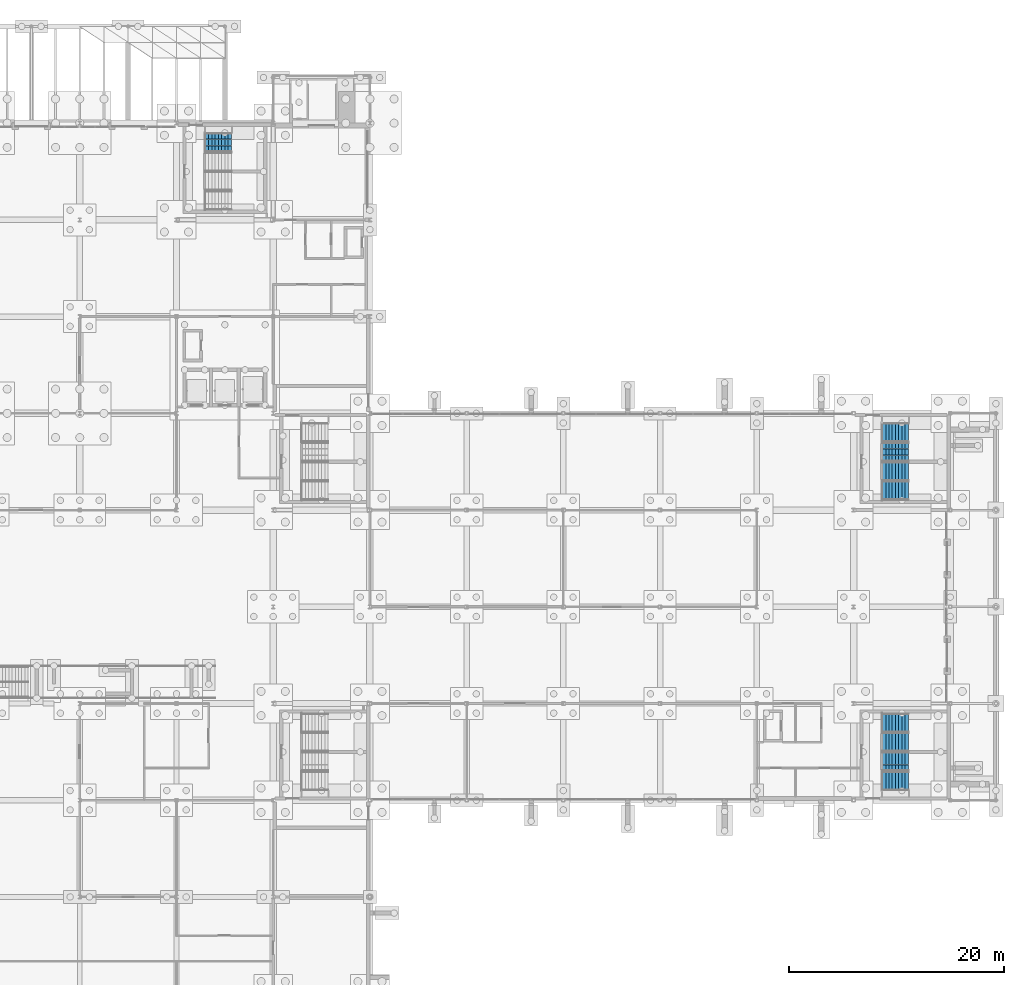
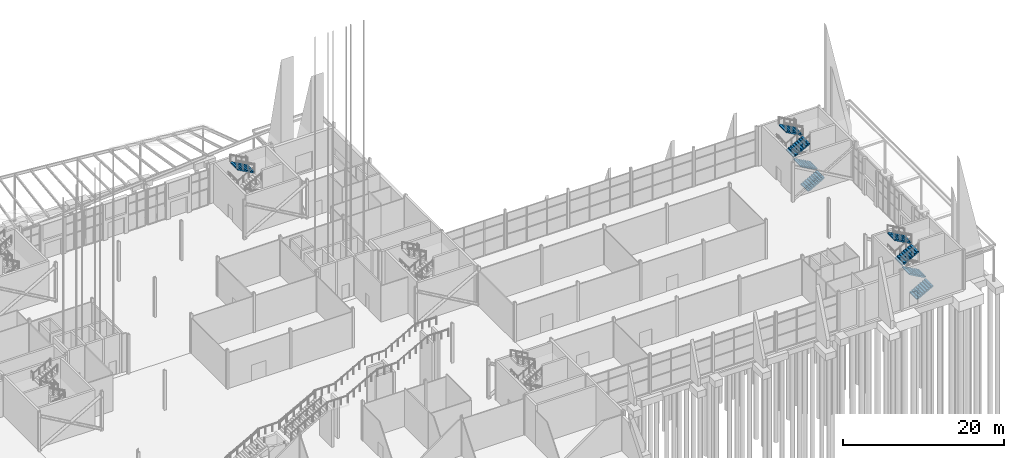
# One storey, part 119 of 139: 9 stair flights, 3 elements without a shape of their own.
"""IFC4 building model written with IfcOpenShell, lengths in metres."""

from ifc_helpers import new_model, si_unit, direction, frame, origin, place, context, subcontext, project, spatial, polyline, outline, extrude, material, type_object, element, aggregate, save


model = new_model("IFC4")

# Units and contexts
model_context = context("Model", 3, precision=1e-05, world=origin(), true_north=direction((0.0, 1.0)))
body_context = subcontext(model_context, "Body", "Model", "MODEL_VIEW")
ifc_project = project(units=[si_unit("LENGTHUNIT", "METRE"), si_unit("AREAUNIT", "SQUARE_METRE"), si_unit("VOLUMEUNIT", "CUBIC_METRE"), si_unit("PLANEANGLEUNIT", "RADIAN"), si_unit("MASSUNIT", "GRAM", prefix="KILO")], contexts=[model_context])

# Site, building, storey
site_placement = place(None, origin())
site = spatial("IfcSite", under=ifc_project, at=site_placement, CompositionType="ELEMENT")
building_placement = place(site_placement, origin())
building = spatial("IfcBuilding", under=site, at=building_placement, Name="Shorebreak Coast Museum", CompositionType="ELEMENT")
storey_placement = place(building_placement, origin())
storey = spatial("IfcBuildingStorey", under=building, at=storey_placement, Name="L00", CompositionType="ELEMENT", Elevation=0.0)

# Stair, stair flights
ifc_material_1 = material(Name="Concrete N40 (40 MPa)", Category="concrete")
stair_type = type_object("IfcStairType", Name="Stair run 6 m", PredefinedType="DOUBLE_RETURN_STAIR", material=ifc_material_1)
stair_1_placement = place(storey_placement, origin())
stair_1 = element("IfcStair", 1, at=stair_1_placement, inside=storey, type_object=stair_type, Name="Exit stair ST07-L00", PredefinedType="DOUBLE_RETURN_STAIR")
ifc_material_2 = material(Name="Concrete N40 (40 MPa)", Category="concrete")
stair_flight_type = type_object("IfcStairFlightType", Name="Stair flight 9 risers 166.67", PredefinedType="STRAIGHT", material=ifc_material_2)
stair_flight_1_placement = place(storey_placement, frame((164.699951171875, 55.800048828125, 0.0), z_axis=(0.0, 0.0, 1.0), x_axis=(1.0, 0.0, 0.0)))
stair_flight_1 = element("IfcStairFlight", 2, at=stair_flight_1_placement, type_object=stair_flight_type, Name="ST07-L00 flight 1", NumberOfRisers=9, NumberOfTreads=8, PredefinedType="STRAIGHT", RiserHeight=0.166666667, TreadLength=0.3, context=body_context, shape_type="SweptSolid", body=[
    extrude(outline(polyline([(0.0, 0.0), (0.0, 0.166748046875), (0.300048828125, 0.166748046875), (0.300048828125, 0.333251953125), (0.60009765625, 0.333251953125), (0.60009765625, 0.5), (0.89990234375, 0.5), (0.89990234375, 0.666748046875), (1.199951171875, 0.666748046875), (1.199951171875, 0.833251953125), (1.5, 0.833251953125), (1.5, 1.0), (1.800048828125, 1.0), (1.800048828125, 1.166748046875), (2.10009765625, 1.166748046875), (2.10009765625, 1.333251953125), (2.39990234375, 1.333251953125), (2.39990234375, 1.5), (2.39990234375, 1.161865234375), (0.30859375, 0.0), (0.0, 0.0)])), frame((0.0, 0.89990234375, 0.0), z_axis=(0.0, -1.0, 0.0), x_axis=(1.0, 0.0, 0.0)), (0.0, 0.0, 1.0), 0.59326171875),
    extrude(outline(polyline([(0.0, 0.0), (0.0, 0.166748046875), (0.300048828125, 0.166748046875), (0.300048828125, 0.333251953125), (0.60009765625, 0.333251953125), (0.60009765625, 0.5), (0.89990234375, 0.5), (0.89990234375, 0.666748046875), (1.199951171875, 0.666748046875), (1.199951171875, 0.833251953125), (1.5, 0.833251953125), (1.5, 1.0), (1.800048828125, 1.0), (1.800048828125, 1.166748046875), (2.10009765625, 1.166748046875), (2.10009765625, 1.333251953125), (2.39990234375, 1.333251953125), (2.39990234375, 1.5), (2.39990234375, 1.161865234375), (0.30859375, 0.0), (0.0, 0.0)])), frame((0.0, 0.296630859375, 0.0), z_axis=(0.0, -1.0, 0.0), x_axis=(1.0, 0.0, 0.0)), (0.0, 0.0, 1.0), 0.59326171875),
    extrude(outline(polyline([(0.0, 0.0), (0.0, 0.166748046875), (0.300048828125, 0.166748046875), (0.300048828125, 0.333251953125), (0.60009765625, 0.333251953125), (0.60009765625, 0.5), (0.89990234375, 0.5), (0.89990234375, 0.666748046875), (1.199951171875, 0.666748046875), (1.199951171875, 0.833251953125), (1.5, 0.833251953125), (1.5, 1.0), (1.800048828125, 1.0), (1.800048828125, 1.166748046875), (2.10009765625, 1.166748046875), (2.10009765625, 1.333251953125), (2.39990234375, 1.333251953125), (2.39990234375, 1.5), (2.39990234375, 1.161865234375), (0.30859375, 0.0), (0.0, 0.0)])), frame((0.0, -0.306640625, 0.0), z_axis=(0.0, -1.0, 0.0), x_axis=(1.0, 0.0, 0.0)), (0.0, 0.0, 1.0), 0.59326171875),
])
stair_flight_2_placement = place(storey_placement, frame((167.10009765625, 57.60009765625, 1.5), z_axis=(0.0, 0.0, 1.0), x_axis=(-1.0, 0.0, 0.0)))
stair_flight_2 = element("IfcStairFlight", 3, at=stair_flight_2_placement, type_object=stair_flight_type, Name="ST07-L00 flight 2", NumberOfRisers=9, NumberOfTreads=8, PredefinedType="STRAIGHT", RiserHeight=0.166666667, TreadLength=0.3, context=body_context, shape_type="SweptSolid", body=[
    extrude(outline(polyline([(0.0, 0.0), (0.0, 0.166748046875), (0.300048828125, 0.166748046875), (0.300048828125, 0.333251953125), (0.60009765625, 0.333251953125), (0.60009765625, 0.5), (0.89990234375, 0.5), (0.89990234375, 0.666748046875), (1.199951171875, 0.666748046875), (1.199951171875, 0.833251953125), (1.5, 0.833251953125), (1.5, 1.0), (1.800048828125, 1.0), (1.800048828125, 1.166748046875), (2.10009765625, 1.166748046875), (2.10009765625, 1.333251953125), (2.39990234375, 1.333251953125), (2.39990234375, 1.5), (2.39990234375, 1.161865234375), (0.30859375, 0.0), (0.0, 0.0)])), frame((0.0, 0.89990234375, 0.0), z_axis=(0.0, -1.0, 0.0), x_axis=(1.0, 0.0, 0.0)), (0.0, 0.0, 1.0), 0.59326171875),
    extrude(outline(polyline([(0.0, 0.0), (0.0, 0.166748046875), (0.300048828125, 0.166748046875), (0.300048828125, 0.333251953125), (0.60009765625, 0.333251953125), (0.60009765625, 0.5), (0.89990234375, 0.5), (0.89990234375, 0.666748046875), (1.199951171875, 0.666748046875), (1.199951171875, 0.833251953125), (1.5, 0.833251953125), (1.5, 1.0), (1.800048828125, 1.0), (1.800048828125, 1.166748046875), (2.10009765625, 1.166748046875), (2.10009765625, 1.333251953125), (2.39990234375, 1.333251953125), (2.39990234375, 1.5), (2.39990234375, 1.161865234375), (0.30859375, 0.0), (0.0, 0.0)])), frame((0.0, 0.296630859375, 0.0), z_axis=(0.0, -1.0, 0.0), x_axis=(1.0, 0.0, 0.0)), (0.0, 0.0, 1.0), 0.59326171875),
    extrude(outline(polyline([(0.0, 0.0), (0.0, 0.166748046875), (0.300048828125, 0.166748046875), (0.300048828125, 0.333251953125), (0.60009765625, 0.333251953125), (0.60009765625, 0.5), (0.89990234375, 0.5), (0.89990234375, 0.666748046875), (1.199951171875, 0.666748046875), (1.199951171875, 0.833251953125), (1.5, 0.833251953125), (1.5, 1.0), (1.800048828125, 1.0), (1.800048828125, 1.166748046875), (2.10009765625, 1.166748046875), (2.10009765625, 1.333251953125), (2.39990234375, 1.333251953125), (2.39990234375, 1.5), (2.39990234375, 1.161865234375), (0.30859375, 0.0), (0.0, 0.0)])), frame((0.0, -0.306640625, 0.0), z_axis=(0.0, -1.0, 0.0), x_axis=(1.0, 0.0, 0.0)), (0.0, 0.0, 1.0), 0.59326171875),
])
stair_flight_3_placement = place(storey_placement, frame((164.699951171875, 59.39990234375, 3.0), z_axis=(0.0, 0.0, 1.0), x_axis=(1.0, 0.0, 0.0)))
stair_flight_3 = element("IfcStairFlight", 4, at=stair_flight_3_placement, type_object=stair_flight_type, Name="ST07-L00 flight 3", NumberOfRisers=9, NumberOfTreads=8, PredefinedType="STRAIGHT", RiserHeight=0.166666667, TreadLength=0.3, context=body_context, shape_type="SweptSolid", body=[
    extrude(outline(polyline([(0.0, 0.0), (0.0, 0.166748046875), (0.300048828125, 0.166748046875), (0.300048828125, 0.333251953125), (0.60009765625, 0.333251953125), (0.60009765625, 0.5), (0.89990234375, 0.5), (0.89990234375, 0.666748046875), (1.199951171875, 0.666748046875), (1.199951171875, 0.833251953125), (1.5, 0.833251953125), (1.5, 1.0), (1.800048828125, 1.0), (1.800048828125, 1.166748046875), (2.10009765625, 1.166748046875), (2.10009765625, 1.333251953125), (2.39990234375, 1.333251953125), (2.39990234375, 1.5), (2.39990234375, 1.161865234375), (0.30859375, 0.0), (0.0, 0.0)])), frame((0.0, 0.89990234375, 0.0), z_axis=(0.0, -1.0, 0.0), x_axis=(1.0, 0.0, 0.0)), (0.0, 0.0, 1.0), 0.59326171875),
    extrude(outline(polyline([(0.0, 0.0), (0.0, 0.166748046875), (0.300048828125, 0.166748046875), (0.300048828125, 0.333251953125), (0.60009765625, 0.333251953125), (0.60009765625, 0.5), (0.89990234375, 0.5), (0.89990234375, 0.666748046875), (1.199951171875, 0.666748046875), (1.199951171875, 0.833251953125), (1.5, 0.833251953125), (1.5, 1.0), (1.800048828125, 1.0), (1.800048828125, 1.166748046875), (2.10009765625, 1.166748046875), (2.10009765625, 1.333251953125), (2.39990234375, 1.333251953125), (2.39990234375, 1.5), (2.39990234375, 1.161865234375), (0.30859375, 0.0), (0.0, 0.0)])), frame((0.0, 0.296630859375, 0.0), z_axis=(0.0, -1.0, 0.0), x_axis=(1.0, 0.0, 0.0)), (0.0, 0.0, 1.0), 0.59326171875),
    extrude(outline(polyline([(0.0, 0.0), (0.0, 0.166748046875), (0.300048828125, 0.166748046875), (0.300048828125, 0.333251953125), (0.60009765625, 0.333251953125), (0.60009765625, 0.5), (0.89990234375, 0.5), (0.89990234375, 0.666748046875), (1.199951171875, 0.666748046875), (1.199951171875, 0.833251953125), (1.5, 0.833251953125), (1.5, 1.0), (1.800048828125, 1.0), (1.800048828125, 1.166748046875), (2.10009765625, 1.166748046875), (2.10009765625, 1.333251953125), (2.39990234375, 1.333251953125), (2.39990234375, 1.5), (2.39990234375, 1.161865234375), (0.30859375, 0.0), (0.0, 0.0)])), frame((0.0, -0.306640625, 0.0), z_axis=(0.0, -1.0, 0.0), x_axis=(1.0, 0.0, 0.0)), (0.0, 0.0, 1.0), 0.59326171875),
])
stair_flight_4_placement = place(storey_placement, frame((167.10009765625, 61.199951171875, 4.5), z_axis=(0.0, 0.0, 1.0), x_axis=(-1.0, 0.0, 0.0)))
stair_flight_4 = element("IfcStairFlight", 5, at=stair_flight_4_placement, type_object=stair_flight_type, Name="ST07-L00 flight 4", NumberOfRisers=9, NumberOfTreads=8, PredefinedType="STRAIGHT", RiserHeight=0.166666667, TreadLength=0.3, context=body_context, shape_type="SweptSolid", body=[
    extrude(outline(polyline([(0.0, 0.0), (0.0, 0.166748046875), (0.300048828125, 0.166748046875), (0.300048828125, 0.333251953125), (0.60009765625, 0.333251953125), (0.60009765625, 0.5), (0.89990234375, 0.5), (0.89990234375, 0.666748046875), (1.199951171875, 0.666748046875), (1.199951171875, 0.833251953125), (1.5, 0.833251953125), (1.5, 1.0), (1.800048828125, 1.0), (1.800048828125, 1.166748046875), (2.10009765625, 1.166748046875), (2.10009765625, 1.333251953125), (2.39990234375, 1.333251953125), (2.39990234375, 1.5), (2.39990234375, 1.161865234375), (0.30859375, 0.0), (0.0, 0.0)])), frame((0.0, 0.89990234375, 0.0), z_axis=(0.0, -1.0, 0.0), x_axis=(1.0, 0.0, 0.0)), (0.0, 0.0, 1.0), 0.59326171875),
    extrude(outline(polyline([(0.0, 0.0), (0.0, 0.166748046875), (0.300048828125, 0.166748046875), (0.300048828125, 0.333251953125), (0.60009765625, 0.333251953125), (0.60009765625, 0.5), (0.89990234375, 0.5), (0.89990234375, 0.666748046875), (1.199951171875, 0.666748046875), (1.199951171875, 0.833251953125), (1.5, 0.833251953125), (1.5, 1.0), (1.800048828125, 1.0), (1.800048828125, 1.166748046875), (2.10009765625, 1.166748046875), (2.10009765625, 1.333251953125), (2.39990234375, 1.333251953125), (2.39990234375, 1.5), (2.39990234375, 1.161865234375), (0.30859375, 0.0), (0.0, 0.0)])), frame((0.0, 0.296630859375, 0.0), z_axis=(0.0, -1.0, 0.0), x_axis=(1.0, 0.0, 0.0)), (0.0, 0.0, 1.0), 0.59326171875),
    extrude(outline(polyline([(0.0, 0.0), (0.0, 0.166748046875), (0.300048828125, 0.166748046875), (0.300048828125, 0.333251953125), (0.60009765625, 0.333251953125), (0.60009765625, 0.5), (0.89990234375, 0.5), (0.89990234375, 0.666748046875), (1.199951171875, 0.666748046875), (1.199951171875, 0.833251953125), (1.5, 0.833251953125), (1.5, 1.0), (1.800048828125, 1.0), (1.800048828125, 1.166748046875), (2.10009765625, 1.166748046875), (2.10009765625, 1.333251953125), (2.39990234375, 1.333251953125), (2.39990234375, 1.5), (2.39990234375, 1.161865234375), (0.30859375, 0.0), (0.0, 0.0)])), frame((0.0, -0.306640625, 0.0), z_axis=(0.0, -1.0, 0.0), x_axis=(1.0, 0.0, 0.0)), (0.0, 0.0, 1.0), 0.59326171875),
])
aggregate(stair_1, [stair_flight_1, stair_flight_2, stair_flight_3, stair_flight_4])

stair_2_placement = place(storey_placement, origin())
stair_2 = element("IfcStair", 6, at=stair_2_placement, inside=storey, type_object=stair_type, Name="Exit stair ST08-L00", PredefinedType="DOUBLE_RETURN_STAIR")
stair_flight_5_placement = place(storey_placement, frame((164.699951171875, 82.800048828125, 0.0), z_axis=(0.0, 0.0, 1.0), x_axis=(1.0, 0.0, 0.0)))
stair_flight_5 = element("IfcStairFlight", 7, at=stair_flight_5_placement, type_object=stair_flight_type, Name="ST08-L00 flight 1", NumberOfRisers=9, NumberOfTreads=8, PredefinedType="STRAIGHT", RiserHeight=0.166666667, TreadLength=0.3, context=body_context, shape_type="SweptSolid", body=[
    extrude(outline(polyline([(0.0, 0.0), (0.0, 0.166748046875), (0.300048828125, 0.166748046875), (0.300048828125, 0.333251953125), (0.60009765625, 0.333251953125), (0.60009765625, 0.5), (0.89990234375, 0.5), (0.89990234375, 0.666748046875), (1.199951171875, 0.666748046875), (1.199951171875, 0.833251953125), (1.5, 0.833251953125), (1.5, 1.0), (1.800048828125, 1.0), (1.800048828125, 1.166748046875), (2.10009765625, 1.166748046875), (2.10009765625, 1.333251953125), (2.39990234375, 1.333251953125), (2.39990234375, 1.5), (2.39990234375, 1.161865234375), (0.30859375, 0.0), (0.0, 0.0)])), frame((0.0, 0.89990234375, 0.0), z_axis=(0.0, -1.0, 0.0), x_axis=(1.0, 0.0, 0.0)), (0.0, 0.0, 1.0), 0.59326171875),
    extrude(outline(polyline([(0.0, 0.0), (0.0, 0.166748046875), (0.300048828125, 0.166748046875), (0.300048828125, 0.333251953125), (0.60009765625, 0.333251953125), (0.60009765625, 0.5), (0.89990234375, 0.5), (0.89990234375, 0.666748046875), (1.199951171875, 0.666748046875), (1.199951171875, 0.833251953125), (1.5, 0.833251953125), (1.5, 1.0), (1.800048828125, 1.0), (1.800048828125, 1.166748046875), (2.10009765625, 1.166748046875), (2.10009765625, 1.333251953125), (2.39990234375, 1.333251953125), (2.39990234375, 1.5), (2.39990234375, 1.161865234375), (0.30859375, 0.0), (0.0, 0.0)])), frame((0.0, 0.296630859375, 0.0), z_axis=(0.0, -1.0, 0.0), x_axis=(1.0, 0.0, 0.0)), (0.0, 0.0, 1.0), 0.59326171875),
    extrude(outline(polyline([(0.0, 0.0), (0.0, 0.166748046875), (0.300048828125, 0.166748046875), (0.300048828125, 0.333251953125), (0.60009765625, 0.333251953125), (0.60009765625, 0.5), (0.89990234375, 0.5), (0.89990234375, 0.666748046875), (1.199951171875, 0.666748046875), (1.199951171875, 0.833251953125), (1.5, 0.833251953125), (1.5, 1.0), (1.800048828125, 1.0), (1.800048828125, 1.166748046875), (2.10009765625, 1.166748046875), (2.10009765625, 1.333251953125), (2.39990234375, 1.333251953125), (2.39990234375, 1.5), (2.39990234375, 1.161865234375), (0.30859375, 0.0), (0.0, 0.0)])), frame((0.0, -0.306640625, 0.0), z_axis=(0.0, -1.0, 0.0), x_axis=(1.0, 0.0, 0.0)), (0.0, 0.0, 1.0), 0.59326171875),
])
stair_flight_6_placement = place(storey_placement, frame((167.10009765625, 84.60009765625, 1.5), z_axis=(0.0, 0.0, 1.0), x_axis=(-1.0, 0.0, 0.0)))
stair_flight_6 = element("IfcStairFlight", 8, at=stair_flight_6_placement, type_object=stair_flight_type, Name="ST08-L00 flight 2", NumberOfRisers=9, NumberOfTreads=8, PredefinedType="STRAIGHT", RiserHeight=0.166666667, TreadLength=0.3, context=body_context, shape_type="SweptSolid", body=[
    extrude(outline(polyline([(0.0, 0.0), (0.0, 0.166748046875), (0.300048828125, 0.166748046875), (0.300048828125, 0.333251953125), (0.60009765625, 0.333251953125), (0.60009765625, 0.5), (0.89990234375, 0.5), (0.89990234375, 0.666748046875), (1.199951171875, 0.666748046875), (1.199951171875, 0.833251953125), (1.5, 0.833251953125), (1.5, 1.0), (1.800048828125, 1.0), (1.800048828125, 1.166748046875), (2.10009765625, 1.166748046875), (2.10009765625, 1.333251953125), (2.39990234375, 1.333251953125), (2.39990234375, 1.5), (2.39990234375, 1.161865234375), (0.30859375, 0.0), (0.0, 0.0)])), frame((0.0, 0.89990234375, 0.0), z_axis=(0.0, -1.0, 0.0), x_axis=(1.0, 0.0, 0.0)), (0.0, 0.0, 1.0), 0.59326171875),
    extrude(outline(polyline([(0.0, 0.0), (0.0, 0.166748046875), (0.300048828125, 0.166748046875), (0.300048828125, 0.333251953125), (0.60009765625, 0.333251953125), (0.60009765625, 0.5), (0.89990234375, 0.5), (0.89990234375, 0.666748046875), (1.199951171875, 0.666748046875), (1.199951171875, 0.833251953125), (1.5, 0.833251953125), (1.5, 1.0), (1.800048828125, 1.0), (1.800048828125, 1.166748046875), (2.10009765625, 1.166748046875), (2.10009765625, 1.333251953125), (2.39990234375, 1.333251953125), (2.39990234375, 1.5), (2.39990234375, 1.161865234375), (0.30859375, 0.0), (0.0, 0.0)])), frame((0.0, 0.296630859375, 0.0), z_axis=(0.0, -1.0, 0.0), x_axis=(1.0, 0.0, 0.0)), (0.0, 0.0, 1.0), 0.59326171875),
    extrude(outline(polyline([(0.0, 0.0), (0.0, 0.166748046875), (0.300048828125, 0.166748046875), (0.300048828125, 0.333251953125), (0.60009765625, 0.333251953125), (0.60009765625, 0.5), (0.89990234375, 0.5), (0.89990234375, 0.666748046875), (1.199951171875, 0.666748046875), (1.199951171875, 0.833251953125), (1.5, 0.833251953125), (1.5, 1.0), (1.800048828125, 1.0), (1.800048828125, 1.166748046875), (2.10009765625, 1.166748046875), (2.10009765625, 1.333251953125), (2.39990234375, 1.333251953125), (2.39990234375, 1.5), (2.39990234375, 1.161865234375), (0.30859375, 0.0), (0.0, 0.0)])), frame((0.0, -0.306640625, 0.0), z_axis=(0.0, -1.0, 0.0), x_axis=(1.0, 0.0, 0.0)), (0.0, 0.0, 1.0), 0.59326171875),
])
stair_flight_7_placement = place(storey_placement, frame((164.699951171875, 86.39990234375, 3.0), z_axis=(0.0, 0.0, 1.0), x_axis=(1.0, 0.0, 0.0)))
stair_flight_7 = element("IfcStairFlight", 9, at=stair_flight_7_placement, type_object=stair_flight_type, Name="ST08-L00 flight 3", NumberOfRisers=9, NumberOfTreads=8, PredefinedType="STRAIGHT", RiserHeight=0.166666667, TreadLength=0.3, context=body_context, shape_type="SweptSolid", body=[
    extrude(outline(polyline([(0.0, 0.0), (0.0, 0.166748046875), (0.300048828125, 0.166748046875), (0.300048828125, 0.333251953125), (0.60009765625, 0.333251953125), (0.60009765625, 0.5), (0.89990234375, 0.5), (0.89990234375, 0.666748046875), (1.199951171875, 0.666748046875), (1.199951171875, 0.833251953125), (1.5, 0.833251953125), (1.5, 1.0), (1.800048828125, 1.0), (1.800048828125, 1.166748046875), (2.10009765625, 1.166748046875), (2.10009765625, 1.333251953125), (2.39990234375, 1.333251953125), (2.39990234375, 1.5), (2.39990234375, 1.161865234375), (0.30859375, 0.0), (0.0, 0.0)])), frame((0.0, 0.89990234375, 0.0), z_axis=(0.0, -1.0, 0.0), x_axis=(1.0, 0.0, 0.0)), (0.0, 0.0, 1.0), 0.59326171875),
    extrude(outline(polyline([(0.0, 0.0), (0.0, 0.166748046875), (0.300048828125, 0.166748046875), (0.300048828125, 0.333251953125), (0.60009765625, 0.333251953125), (0.60009765625, 0.5), (0.89990234375, 0.5), (0.89990234375, 0.666748046875), (1.199951171875, 0.666748046875), (1.199951171875, 0.833251953125), (1.5, 0.833251953125), (1.5, 1.0), (1.800048828125, 1.0), (1.800048828125, 1.166748046875), (2.10009765625, 1.166748046875), (2.10009765625, 1.333251953125), (2.39990234375, 1.333251953125), (2.39990234375, 1.5), (2.39990234375, 1.161865234375), (0.30859375, 0.0), (0.0, 0.0)])), frame((0.0, 0.296630859375, 0.0), z_axis=(0.0, -1.0, 0.0), x_axis=(1.0, 0.0, 0.0)), (0.0, 0.0, 1.0), 0.59326171875),
    extrude(outline(polyline([(0.0, 0.0), (0.0, 0.166748046875), (0.300048828125, 0.166748046875), (0.300048828125, 0.333251953125), (0.60009765625, 0.333251953125), (0.60009765625, 0.5), (0.89990234375, 0.5), (0.89990234375, 0.666748046875), (1.199951171875, 0.666748046875), (1.199951171875, 0.833251953125), (1.5, 0.833251953125), (1.5, 1.0), (1.800048828125, 1.0), (1.800048828125, 1.166748046875), (2.10009765625, 1.166748046875), (2.10009765625, 1.333251953125), (2.39990234375, 1.333251953125), (2.39990234375, 1.5), (2.39990234375, 1.161865234375), (0.30859375, 0.0), (0.0, 0.0)])), frame((0.0, -0.306640625, 0.0), z_axis=(0.0, -1.0, 0.0), x_axis=(1.0, 0.0, 0.0)), (0.0, 0.0, 1.0), 0.59326171875),
])
stair_flight_8_placement = place(storey_placement, frame((167.10009765625, 88.199951171875, 4.5), z_axis=(0.0, 0.0, 1.0), x_axis=(-1.0, 0.0, 0.0)))
stair_flight_8 = element("IfcStairFlight", 10, at=stair_flight_8_placement, type_object=stair_flight_type, Name="ST08-L00 flight 4", NumberOfRisers=9, NumberOfTreads=8, PredefinedType="STRAIGHT", RiserHeight=0.166666667, TreadLength=0.3, context=body_context, shape_type="SweptSolid", body=[
    extrude(outline(polyline([(0.0, 0.0), (0.0, 0.166748046875), (0.300048828125, 0.166748046875), (0.300048828125, 0.333251953125), (0.60009765625, 0.333251953125), (0.60009765625, 0.5), (0.89990234375, 0.5), (0.89990234375, 0.666748046875), (1.199951171875, 0.666748046875), (1.199951171875, 0.833251953125), (1.5, 0.833251953125), (1.5, 1.0), (1.800048828125, 1.0), (1.800048828125, 1.166748046875), (2.10009765625, 1.166748046875), (2.10009765625, 1.333251953125), (2.39990234375, 1.333251953125), (2.39990234375, 1.5), (2.39990234375, 1.161865234375), (0.30859375, 0.0), (0.0, 0.0)])), frame((0.0, 0.89990234375, 0.0), z_axis=(0.0, -1.0, 0.0), x_axis=(1.0, 0.0, 0.0)), (0.0, 0.0, 1.0), 0.59326171875),
    extrude(outline(polyline([(0.0, 0.0), (0.0, 0.166748046875), (0.300048828125, 0.166748046875), (0.300048828125, 0.333251953125), (0.60009765625, 0.333251953125), (0.60009765625, 0.5), (0.89990234375, 0.5), (0.89990234375, 0.666748046875), (1.199951171875, 0.666748046875), (1.199951171875, 0.833251953125), (1.5, 0.833251953125), (1.5, 1.0), (1.800048828125, 1.0), (1.800048828125, 1.166748046875), (2.10009765625, 1.166748046875), (2.10009765625, 1.333251953125), (2.39990234375, 1.333251953125), (2.39990234375, 1.5), (2.39990234375, 1.161865234375), (0.30859375, 0.0), (0.0, 0.0)])), frame((0.0, 0.296630859375, 0.0), z_axis=(0.0, -1.0, 0.0), x_axis=(1.0, 0.0, 0.0)), (0.0, 0.0, 1.0), 0.59326171875),
    extrude(outline(polyline([(0.0, 0.0), (0.0, 0.166748046875), (0.300048828125, 0.166748046875), (0.300048828125, 0.333251953125), (0.60009765625, 0.333251953125), (0.60009765625, 0.5), (0.89990234375, 0.5), (0.89990234375, 0.666748046875), (1.199951171875, 0.666748046875), (1.199951171875, 0.833251953125), (1.5, 0.833251953125), (1.5, 1.0), (1.800048828125, 1.0), (1.800048828125, 1.166748046875), (2.10009765625, 1.166748046875), (2.10009765625, 1.333251953125), (2.39990234375, 1.333251953125), (2.39990234375, 1.5), (2.39990234375, 1.161865234375), (0.30859375, 0.0), (0.0, 0.0)])), frame((0.0, -0.306640625, 0.0), z_axis=(0.0, -1.0, 0.0), x_axis=(1.0, 0.0, 0.0)), (0.0, 0.0, 1.0), 0.59326171875),
])
aggregate(stair_2, [stair_flight_5, stair_flight_6, stair_flight_7, stair_flight_8])

# Stair, stair flight
stair_3_placement = place(storey_placement, origin())
stair_3 = element("IfcStair", 11, at=stair_3_placement, inside=storey, type_object=stair_type, Name="Exit stair ST10-L00", PredefinedType="DOUBLE_RETURN_STAIR")
stair_flight_9_placement = place(storey_placement, frame((104.10009765625, 115.199951171875, 4.5), z_axis=(0.0, 0.0, 1.0), x_axis=(-1.0, 0.0, 0.0)))
stair_flight_9 = element("IfcStairFlight", 12, at=stair_flight_9_placement, type_object=stair_flight_type, Name="ST10-L00 flight 4", NumberOfRisers=9, NumberOfTreads=8, PredefinedType="STRAIGHT", RiserHeight=0.166666667, TreadLength=0.3, context=body_context, shape_type="SweptSolid", body=[
    extrude(outline(polyline([(0.0, 0.0), (0.0, 0.166748046875), (0.300048828125, 0.166748046875), (0.300048828125, 0.333251953125), (0.60009765625, 0.333251953125), (0.60009765625, 0.5), (0.89990234375, 0.5), (0.89990234375, 0.666748046875), (1.199951171875, 0.666748046875), (1.199951171875, 0.833251953125), (1.5, 0.833251953125), (1.5, 1.0), (1.800048828125, 1.0), (1.800048828125, 1.166748046875), (2.10009765625, 1.166748046875), (2.10009765625, 1.333251953125), (2.39990234375, 1.333251953125), (2.39990234375, 1.5), (2.39990234375, 1.161865234375), (0.30859375, 0.0), (0.0, 0.0)])), frame((0.0, 0.89990234375, 0.0), z_axis=(0.0, -1.0, 0.0), x_axis=(1.0, 0.0, 0.0)), (0.0, 0.0, 1.0), 0.59326171875),
    extrude(outline(polyline([(0.0, 0.0), (0.0, 0.166748046875), (0.300048828125, 0.166748046875), (0.300048828125, 0.333251953125), (0.60009765625, 0.333251953125), (0.60009765625, 0.5), (0.89990234375, 0.5), (0.89990234375, 0.666748046875), (1.199951171875, 0.666748046875), (1.199951171875, 0.833251953125), (1.5, 0.833251953125), (1.5, 1.0), (1.800048828125, 1.0), (1.800048828125, 1.166748046875), (2.10009765625, 1.166748046875), (2.10009765625, 1.333251953125), (2.39990234375, 1.333251953125), (2.39990234375, 1.5), (2.39990234375, 1.161865234375), (0.30859375, 0.0), (0.0, 0.0)])), frame((0.0, 0.296630859375, 0.0), z_axis=(0.0, -1.0, 0.0), x_axis=(1.0, 0.0, 0.0)), (0.0, 0.0, 1.0), 0.59326171875),
    extrude(outline(polyline([(0.0, 0.0), (0.0, 0.166748046875), (0.300048828125, 0.166748046875), (0.300048828125, 0.333251953125), (0.60009765625, 0.333251953125), (0.60009765625, 0.5), (0.89990234375, 0.5), (0.89990234375, 0.666748046875), (1.199951171875, 0.666748046875), (1.199951171875, 0.833251953125), (1.5, 0.833251953125), (1.5, 1.0), (1.800048828125, 1.0), (1.800048828125, 1.166748046875), (2.10009765625, 1.166748046875), (2.10009765625, 1.333251953125), (2.39990234375, 1.333251953125), (2.39990234375, 1.5), (2.39990234375, 1.161865234375), (0.30859375, 0.0), (0.0, 0.0)])), frame((0.0, -0.306640625, 0.0), z_axis=(0.0, -1.0, 0.0), x_axis=(1.0, 0.0, 0.0)), (0.0, 0.0, 1.0), 0.59326171875),
])
aggregate(stair_3, [stair_flight_9])

save(model, "model.ifc")
